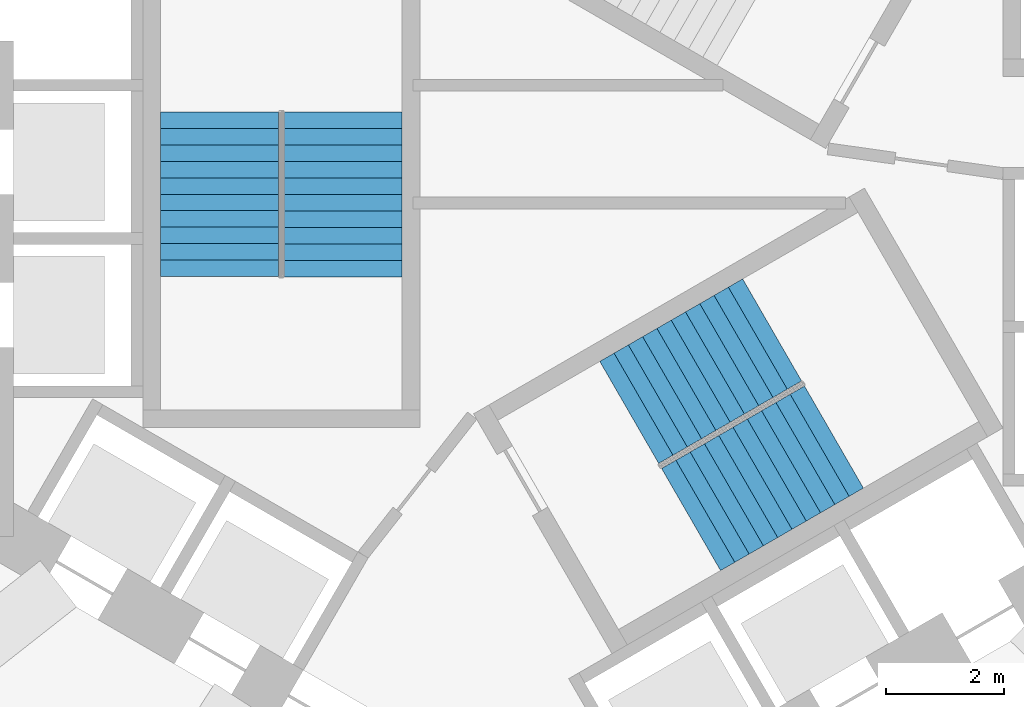
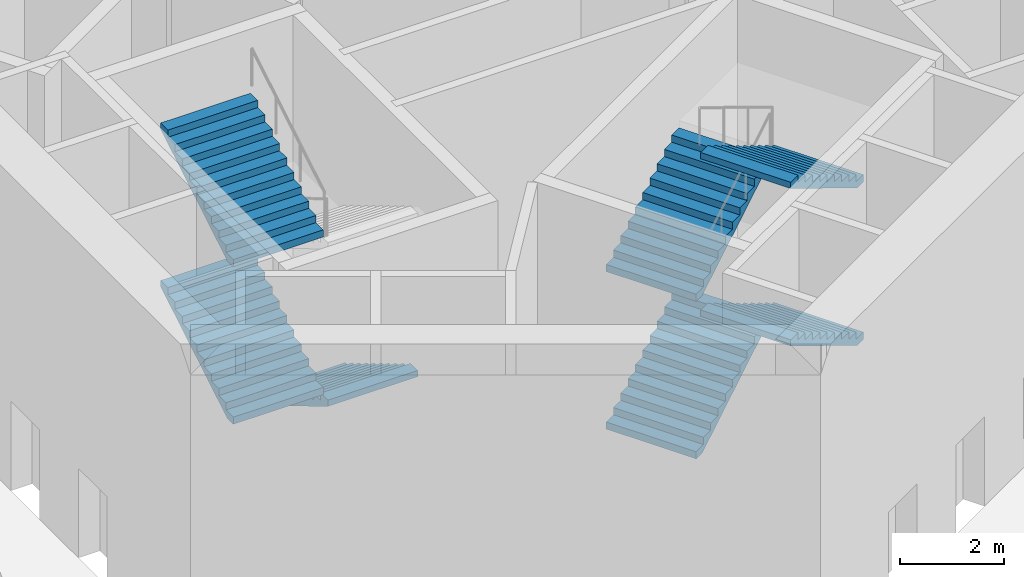
# One storey, part 13 of 19: 7 stair flights, 2 elements without a shape of their own.
"""IFC4 building model written with IfcOpenShell, lengths in metres."""

from ifc_helpers import new_model, si_unit, direction, frame, origin, place, context, subcontext, project, spatial, triangles, source, transform, mapped, material, type_object, element, aggregate, save


model = new_model("IFC4")

# Units and contexts
model_context = context("Model", 3, precision=1e-05, world=origin(), true_north=direction((0.0, 1.0)))
body_context = subcontext(model_context, "Body", "Model", "MODEL_VIEW")
ifc_project = project(units=[si_unit("LENGTHUNIT", "METRE"), si_unit("AREAUNIT", "SQUARE_METRE"), si_unit("VOLUMEUNIT", "CUBIC_METRE"), si_unit("PLANEANGLEUNIT", "RADIAN"), si_unit("MASSUNIT", "GRAM", prefix="KILO")], contexts=[model_context])

# Site, building, storey
site_placement = place(None, origin())
site = spatial("IfcSite", under=ifc_project, at=site_placement, CompositionType="ELEMENT")
building_placement = place(site_placement, origin())
building = spatial("IfcBuilding", under=site, at=building_placement, Name="Vanh Sen Convention Tower", CompositionType="ELEMENT")
storey_placement = place(building_placement, frame((0.0, 0.0, 139.199951171875)))
storey = spatial("IfcBuildingStorey", under=building, at=storey_placement, Name="L34", CompositionType="ELEMENT", Elevation=139.199951171875)

# Stair, stair flights
ifc_material_1 = material(Name="Concrete C50/60", Category="concrete")
stair_type_1 = type_object("IfcStairType", Name="Exit stair ST2 44 risers at 168.2", PredefinedType="HALF_TURN_STAIR", material=ifc_material_1)
stair_1_placement = place(storey_placement, origin())
stair_1 = element("IfcStair", 1, at=stair_1_placement, inside=storey, type_object=stair_type_1, Name="Exit stair ST2 L34", PredefinedType="HALF_TURN_STAIR")
ifc_material_2 = material(Name="Concrete C40/50", Category="concrete")
stair_flight_type = type_object("IfcStairFlightType", Name="Stair flight 2000", PredefinedType="STRAIGHT", material=ifc_material_2)
shared_shape = source(origin(), body_context, "Body", "Tessellation", [
    triangles([(0.24267578125, 1.0, 0.0), (0.0, 1.0, 0.0), (0.0, 1.0, 0.168212890625), (0.280029296875, 1.0, 0.168212890625), (0.280029296875, 1.0, 0.33642578125), (0.56005859375, 1.0, 0.33642578125), (0.56005859375, 1.0, 0.504638671875), (0.840087890625, 1.0, 0.504638671875), (0.840087890625, 1.0, 0.672607421875), (1.1201171875, 1.0, 0.672607421875), (1.1201171875, 1.0, 0.8408203125), (1.39990234375, 1.0, 0.8408203125), (1.39990234375, 1.0, 1.009033203125), (1.679931640625, 1.0, 1.009033203125), (1.679931640625, 1.0, 1.17724609375), (1.9599609375, 1.0, 1.17724609375), (1.9599609375, 1.0, 1.345458984375), (2.239990234375, 1.0, 1.345458984375), (2.239990234375, 1.0, 1.513671875), (2.52001953125, 1.0, 1.513671875), (2.52001953125, 1.0, 1.681884765625), (2.800048828125, 1.0, 1.681884765625), (2.800048828125, 1.0, 1.535888671875), (0.24267578125, -1.0, 0.0), (0.0, -1.0, 0.0), (0.0, -1.0, 0.168212890625), (0.280029296875, -1.0, 0.168212890625), (0.280029296875, -1.0, 0.33642578125), (0.56005859375, -1.0, 0.33642578125), (0.56005859375, -1.0, 0.504638671875), (0.840087890625, -1.0, 0.504638671875), (0.840087890625, -1.0, 0.672607421875), (1.1201171875, -1.0, 0.672607421875), (1.1201171875, -1.0, 0.8408203125), (1.39990234375, -1.0, 0.8408203125), (1.39990234375, -1.0, 1.009033203125), (1.679931640625, -1.0, 1.009033203125), (1.679931640625, -1.0, 1.17724609375), (1.9599609375, -1.0, 1.17724609375), (1.9599609375, -1.0, 1.345458984375), (2.239990234375, -1.0, 1.345458984375), (2.239990234375, -1.0, 1.513671875), (2.52001953125, -1.0, 1.513671875), (2.52001953125, -1.0, 1.681884765625), (2.800048828125, -1.0, 1.681884765625), (2.800048828125, -1.0, 1.535888671875), (0.0, 0.0400390625, 0.0), (0.0, 0.0390625, 0.0), (0.0, 0.0380859375, 0.0), (0.0, 0.037109375, 0.0), (0.0, 0.035888671875, 0.0), (0.0, 0.034912109375, 0.0), (0.0, 0.033935546875, 0.0), (0.0, 0.032958984375, 0.0), (0.0, 0.031982421875, 0.0), (0.0, 0.031005859375, 0.0), (0.0, 0.030029296875, 0.0), (0.0, 0.029052734375, 0.0), (0.0, 0.028076171875, 0.0), (0.0, 0.027099609375, 0.0), (0.0, 0.02587890625, 0.0), (0.0, 0.02490234375, 0.0), (0.0, 0.02392578125, 0.0), (0.0, 0.02294921875, 0.0), (0.0, 0.02197265625, 0.0), (0.0, 0.02099609375, 0.0), (0.0, 0.02001953125, 0.0), (0.0, 0.01904296875, 0.0), (0.0, 0.01806640625, 0.0), (0.0, 0.01708984375, 0.0), (0.0, 0.01611328125, 0.0), (0.0, 0.014892578125, 0.0), (0.0, 0.013916015625, 0.0), (0.0, 0.012939453125, 0.0), (0.0, 0.011962890625, 0.0), (0.0, 0.010986328125, 0.0), (0.0, 0.010009765625, 0.0), (0.0, 0.009033203125, 0.0), (0.0, 0.008056640625, 0.0), (0.0, 0.007080078125, 0.0), (0.0, 0.006103515625, 0.0), (0.0, 0.0048828125, 0.0), (0.0, 0.00390625, 0.0), (0.0, 0.0029296875, 0.0), (0.0, 0.001953125, 0.0), (0.0, 0.0009765625, 0.0), (0.0, 0.0, 0.0), (0.0, -0.0009765625, 0.0), (0.0, -0.001953125, 0.0), (0.0, -0.0029296875, 0.0), (0.0, -0.00390625, 0.0), (0.0, -0.0048828125, 0.0), (0.0, -0.006103515625, 0.0), (0.0, -0.007080078125, 0.0), (0.0, -0.008056640625, 0.0), (0.0, -0.009033203125, 0.0), (0.0, -0.010009765625, 0.0), (0.0, -0.010986328125, 0.0), (0.0, -0.011962890625, 0.0), (0.0, -0.012939453125, 0.0), (0.0, -0.013916015625, 0.0), (0.0, -0.014892578125, 0.0), (0.0, -0.01611328125, 0.0), (0.0, -0.01708984375, 0.0), (0.0, -0.01806640625, 0.0), (0.0, -0.01904296875, 0.0), (0.0, -0.02001953125, 0.0), (0.0, -0.02099609375, 0.0), (0.0, -0.02197265625, 0.0), (0.0, -0.02294921875, 0.0), (0.0, -0.02392578125, 0.0), (0.0, -0.02490234375, 0.0), (0.0, -0.02587890625, 0.0), (0.0, -0.027099609375, 0.0), (0.0, -0.028076171875, 0.0), (0.0, -0.029052734375, 0.0), (0.0, -0.030029296875, 0.0), (0.0, -0.031005859375, 0.0), (0.0, -0.031982421875, 0.0), (0.0, -0.032958984375, 0.0), (0.0, -0.033935546875, 0.0), (0.0, -0.034912109375, 0.0), (0.0, -0.035888671875, 0.0), (0.0, -0.037109375, 0.0), (0.0, -0.0380859375, 0.0), (0.0, -0.0390625, 0.0), (0.0, -0.0400390625, 0.0), (0.0, 0.0400390625, 0.168212890625), (0.0, 0.0390625, 0.168212890625), (0.0, 0.0380859375, 0.168212890625), (0.0, 0.037109375, 0.168212890625), (0.0, 0.035888671875, 0.168212890625), (0.0, 0.034912109375, 0.168212890625), (0.0, 0.033935546875, 0.168212890625), (0.0, 0.032958984375, 0.168212890625), (0.0, 0.031982421875, 0.168212890625), (0.0, 0.031005859375, 0.168212890625), (0.0, 0.030029296875, 0.168212890625), (0.0, 0.029052734375, 0.168212890625), (0.0, 0.028076171875, 0.168212890625), (0.0, 0.027099609375, 0.168212890625), (0.0, 0.02587890625, 0.168212890625), (0.0, 0.02490234375, 0.168212890625), (0.0, 0.02392578125, 0.168212890625), (0.0, 0.02294921875, 0.168212890625), (0.0, 0.02197265625, 0.168212890625), (0.0, 0.02099609375, 0.168212890625), (0.0, 0.02001953125, 0.168212890625), (0.0, 0.01904296875, 0.168212890625), (0.0, 0.01806640625, 0.168212890625), (0.0, 0.01708984375, 0.168212890625), (0.0, 0.01611328125, 0.168212890625), (0.0, 0.014892578125, 0.168212890625), (0.0, 0.013916015625, 0.168212890625), (0.0, 0.012939453125, 0.168212890625), (0.0, 0.011962890625, 0.168212890625), (0.0, 0.010986328125, 0.168212890625), (0.0, 0.010009765625, 0.168212890625), (0.0, 0.009033203125, 0.168212890625), (0.0, 0.008056640625, 0.168212890625), (0.0, 0.007080078125, 0.168212890625), (0.0, 0.006103515625, 0.168212890625), (0.0, 0.0048828125, 0.168212890625), (0.0, 0.00390625, 0.168212890625), (0.0, 0.0029296875, 0.168212890625), (0.0, 0.001953125, 0.168212890625), (0.0, 0.0009765625, 0.168212890625), (0.0, 0.0, 0.168212890625), (0.0, -0.0009765625, 0.168212890625), (0.0, -0.001953125, 0.168212890625), (0.0, -0.0029296875, 0.168212890625), (0.0, -0.00390625, 0.168212890625), (0.0, -0.0048828125, 0.168212890625), (0.0, -0.006103515625, 0.168212890625), (0.0, -0.007080078125, 0.168212890625), (0.0, -0.008056640625, 0.168212890625), (0.0, -0.009033203125, 0.168212890625), (0.0, -0.010009765625, 0.168212890625), (0.0, -0.010986328125, 0.168212890625), (0.0, -0.011962890625, 0.168212890625), (0.0, -0.012939453125, 0.168212890625), (0.0, -0.013916015625, 0.168212890625), (0.0, -0.014892578125, 0.168212890625), (0.0, -0.01611328125, 0.168212890625), (0.0, -0.01708984375, 0.168212890625), (0.0, -0.01806640625, 0.168212890625), (0.0, -0.01904296875, 0.168212890625), (0.0, -0.02001953125, 0.168212890625), (0.0, -0.02099609375, 0.168212890625), (0.0, -0.02197265625, 0.168212890625), (0.0, -0.02294921875, 0.168212890625), (0.0, -0.02392578125, 0.168212890625), (0.0, -0.02490234375, 0.168212890625), (0.0, -0.02587890625, 0.168212890625), (0.0, -0.027099609375, 0.168212890625), (0.0, -0.028076171875, 0.168212890625), (0.0, -0.029052734375, 0.168212890625), (0.0, -0.030029296875, 0.168212890625), (0.0, -0.031005859375, 0.168212890625), (0.0, -0.031982421875, 0.168212890625), (0.0, -0.032958984375, 0.168212890625), (0.0, -0.033935546875, 0.168212890625), (0.0, -0.034912109375, 0.168212890625), (0.0, -0.035888671875, 0.168212890625), (0.0, -0.037109375, 0.168212890625), (0.0, -0.0380859375, 0.168212890625), (0.0, -0.0390625, 0.168212890625), (0.0, -0.0400390625, 0.168212890625), (0.280029296875, 0.0, 0.168212890625), (0.280029296875, 0.0, 0.33642578125), (0.56005859375, 0.0, 0.33642578125), (0.56005859375, 0.0, 0.504638671875), (0.840087890625, 0.0, 0.504638671875), (0.840087890625, 0.0, 0.672607421875), (1.1201171875, 0.0, 0.672607421875), (1.1201171875, 0.0, 0.8408203125), (1.39990234375, 0.0, 0.8408203125), (1.39990234375, 0.0, 1.009033203125), (1.679931640625, 0.0, 1.009033203125), (1.679931640625, 0.0, 1.17724609375), (1.9599609375, 0.0, 1.17724609375), (1.9599609375, 0.0, 1.345458984375), (2.239990234375, 0.0, 1.345458984375), (2.239990234375, 0.0, 1.513671875), (2.52001953125, 0.0, 1.513671875), (2.52001953125, 0.0, 1.681884765625), (2.800048828125, 0.0400390625, 1.681884765625), (2.800048828125, 0.0390625, 1.681884765625), (2.800048828125, 0.0380859375, 1.681884765625), (2.800048828125, 0.037109375, 1.681884765625), (2.800048828125, 0.035888671875, 1.681884765625), (2.800048828125, 0.034912109375, 1.681884765625), (2.800048828125, 0.033935546875, 1.681884765625), (2.800048828125, 0.032958984375, 1.681884765625), (2.800048828125, 0.031982421875, 1.681884765625), (2.800048828125, 0.031005859375, 1.681884765625), (2.800048828125, 0.030029296875, 1.681884765625), (2.800048828125, 0.029052734375, 1.681884765625), (2.800048828125, 0.028076171875, 1.681884765625), (2.800048828125, 0.027099609375, 1.681884765625), (2.800048828125, 0.02587890625, 1.681884765625), (2.800048828125, 0.02490234375, 1.681884765625), (2.800048828125, 0.02392578125, 1.681884765625), (2.800048828125, 0.02294921875, 1.681884765625), (2.800048828125, 0.02197265625, 1.681884765625), (2.800048828125, 0.02099609375, 1.681884765625), (2.800048828125, 0.02001953125, 1.681884765625), (2.800048828125, 0.01904296875, 1.681884765625), (2.800048828125, 0.01806640625, 1.681884765625), (2.800048828125, 0.01708984375, 1.681884765625), (2.800048828125, 0.01611328125, 1.681884765625), (2.800048828125, 0.014892578125, 1.681884765625), (2.800048828125, 0.013916015625, 1.681884765625), (2.800048828125, 0.012939453125, 1.681884765625), (2.800048828125, 0.011962890625, 1.681884765625), (2.800048828125, 0.010986328125, 1.681884765625), (2.800048828125, 0.010009765625, 1.681884765625), (2.800048828125, 0.009033203125, 1.681884765625), (2.800048828125, 0.008056640625, 1.681884765625), (2.800048828125, 0.007080078125, 1.681884765625), (2.800048828125, 0.006103515625, 1.681884765625), (2.800048828125, 0.0048828125, 1.681884765625), (2.800048828125, 0.00390625, 1.681884765625), (2.800048828125, 0.0029296875, 1.681884765625), (2.800048828125, 0.001953125, 1.681884765625), (2.800048828125, 0.0009765625, 1.681884765625), (2.800048828125, 0.0, 1.681884765625), (2.800048828125, -0.0009765625, 1.681884765625), (2.800048828125, -0.001953125, 1.681884765625), (2.800048828125, -0.0029296875, 1.681884765625), (2.800048828125, -0.00390625, 1.681884765625), (2.800048828125, -0.0048828125, 1.681884765625), (2.800048828125, -0.006103515625, 1.681884765625), (2.800048828125, -0.007080078125, 1.681884765625), (2.800048828125, -0.008056640625, 1.681884765625), (2.800048828125, -0.009033203125, 1.681884765625), (2.800048828125, -0.010009765625, 1.681884765625), (2.800048828125, -0.010986328125, 1.681884765625), (2.800048828125, -0.011962890625, 1.681884765625), (2.800048828125, -0.012939453125, 1.681884765625), (2.800048828125, -0.013916015625, 1.681884765625), (2.800048828125, -0.014892578125, 1.681884765625), (2.800048828125, -0.01611328125, 1.681884765625), (2.800048828125, -0.01708984375, 1.681884765625), (2.800048828125, -0.01806640625, 1.681884765625), (2.800048828125, -0.01904296875, 1.681884765625), (2.800048828125, -0.02001953125, 1.681884765625), (2.800048828125, -0.02099609375, 1.681884765625), (2.800048828125, -0.02197265625, 1.681884765625), (2.800048828125, -0.02294921875, 1.681884765625), (2.800048828125, -0.02392578125, 1.681884765625), (2.800048828125, -0.02490234375, 1.681884765625), (2.800048828125, -0.02587890625, 1.681884765625), (2.800048828125, -0.027099609375, 1.681884765625), (2.800048828125, -0.028076171875, 1.681884765625), (2.800048828125, -0.029052734375, 1.681884765625), (2.800048828125, -0.030029296875, 1.681884765625), (2.800048828125, -0.031005859375, 1.681884765625), (2.800048828125, -0.031982421875, 1.681884765625), (2.800048828125, -0.032958984375, 1.681884765625), (2.800048828125, -0.033935546875, 1.681884765625), (2.800048828125, -0.034912109375, 1.681884765625), (2.800048828125, -0.035888671875, 1.681884765625), (2.800048828125, -0.037109375, 1.681884765625), (2.800048828125, -0.0380859375, 1.681884765625), (2.800048828125, -0.0390625, 1.681884765625), (2.800048828125, -0.0400390625, 1.681884765625), (2.800048828125, 0.0400390625, 1.535888671875), (2.800048828125, 0.0390625, 1.535888671875), (2.800048828125, 0.0380859375, 1.535888671875), (2.800048828125, 0.037109375, 1.535888671875), (2.800048828125, 0.035888671875, 1.535888671875), (2.800048828125, 0.034912109375, 1.535888671875), (2.800048828125, 0.033935546875, 1.535888671875), (2.800048828125, 0.032958984375, 1.535888671875), (2.800048828125, 0.031982421875, 1.535888671875), (2.800048828125, 0.031005859375, 1.535888671875), (2.800048828125, 0.030029296875, 1.535888671875), (2.800048828125, 0.029052734375, 1.535888671875), (2.800048828125, 0.028076171875, 1.535888671875), (2.800048828125, 0.027099609375, 1.535888671875), (2.800048828125, 0.02587890625, 1.535888671875), (2.800048828125, 0.02490234375, 1.535888671875), (2.800048828125, 0.02392578125, 1.535888671875), (2.800048828125, 0.02294921875, 1.535888671875), (2.800048828125, 0.02197265625, 1.535888671875), (2.800048828125, 0.02099609375, 1.535888671875), (2.800048828125, 0.02001953125, 1.535888671875), (2.800048828125, 0.01904296875, 1.535888671875), (2.800048828125, 0.01806640625, 1.535888671875), (2.800048828125, 0.01708984375, 1.535888671875), (2.800048828125, 0.01611328125, 1.535888671875), (2.800048828125, 0.014892578125, 1.535888671875), (2.800048828125, 0.013916015625, 1.535888671875), (2.800048828125, 0.012939453125, 1.535888671875), (2.800048828125, 0.011962890625, 1.535888671875), (2.800048828125, 0.010986328125, 1.535888671875), (2.800048828125, 0.010009765625, 1.535888671875), (2.800048828125, 0.009033203125, 1.535888671875), (2.800048828125, 0.008056640625, 1.535888671875), (2.800048828125, 0.007080078125, 1.535888671875), (2.800048828125, 0.006103515625, 1.535888671875), (2.800048828125, 0.0048828125, 1.535888671875), (2.800048828125, 0.00390625, 1.535888671875), (2.800048828125, 0.0029296875, 1.535888671875), (2.800048828125, 0.001953125, 1.535888671875), (2.800048828125, 0.0009765625, 1.535888671875), (2.800048828125, 0.0, 1.535888671875), (2.800048828125, -0.0009765625, 1.535888671875), (2.800048828125, -0.001953125, 1.535888671875), (2.800048828125, -0.0029296875, 1.535888671875), (2.800048828125, -0.00390625, 1.535888671875), (2.800048828125, -0.0048828125, 1.535888671875), (2.800048828125, -0.006103515625, 1.535888671875), (2.800048828125, -0.007080078125, 1.535888671875), (2.800048828125, -0.008056640625, 1.535888671875), (2.800048828125, -0.009033203125, 1.535888671875), (2.800048828125, -0.010009765625, 1.535888671875), (2.800048828125, -0.010986328125, 1.535888671875), (2.800048828125, -0.011962890625, 1.535888671875), (2.800048828125, -0.012939453125, 1.535888671875), (2.800048828125, -0.013916015625, 1.535888671875), (2.800048828125, -0.014892578125, 1.535888671875), (2.800048828125, -0.01611328125, 1.535888671875), (2.800048828125, -0.01708984375, 1.535888671875), (2.800048828125, -0.01806640625, 1.535888671875), (2.800048828125, -0.01904296875, 1.535888671875), (2.800048828125, -0.02001953125, 1.535888671875), (2.800048828125, -0.02099609375, 1.535888671875), (2.800048828125, -0.02197265625, 1.535888671875), (2.800048828125, -0.02294921875, 1.535888671875), (2.800048828125, -0.02392578125, 1.535888671875), (2.800048828125, -0.02490234375, 1.535888671875), (2.800048828125, -0.02587890625, 1.535888671875), (2.800048828125, -0.027099609375, 1.535888671875), (2.800048828125, -0.028076171875, 1.535888671875), (2.800048828125, -0.029052734375, 1.535888671875), (2.800048828125, -0.030029296875, 1.535888671875), (2.800048828125, -0.031005859375, 1.535888671875), (2.800048828125, -0.031982421875, 1.535888671875), (2.800048828125, -0.032958984375, 1.535888671875), (2.800048828125, -0.033935546875, 1.535888671875), (2.800048828125, -0.034912109375, 1.535888671875), (2.800048828125, -0.035888671875, 1.535888671875), (2.800048828125, -0.037109375, 1.535888671875), (2.800048828125, -0.0380859375, 1.535888671875), (2.800048828125, -0.0390625, 1.535888671875), (2.800048828125, -0.0400390625, 1.535888671875), (0.24267578125, 0.0, 0.0)], [[1, 2, 3], [1, 3, 4], [4, 5, 6], [1, 4, 6], [6, 7, 8], [1, 6, 8], [8, 9, 10], [1, 8, 10], [10, 11, 12], [1, 10, 12], [12, 13, 14], [1, 12, 14], [14, 15, 16], [1, 14, 16], [16, 17, 18], [1, 16, 18], [18, 19, 20], [1, 18, 20], [20, 21, 22], [1, 20, 22], [22, 23, 1], [24, 26, 25], [24, 27, 26], [27, 29, 28], [24, 29, 27], [29, 31, 30], [24, 31, 29], [31, 33, 32], [24, 33, 31], [33, 35, 34], [24, 35, 33], [35, 37, 36], [24, 37, 35], [37, 39, 38], [24, 39, 37], [39, 41, 40], [24, 41, 39], [41, 43, 42], [24, 43, 41], [43, 45, 44], [24, 45, 43], [45, 24, 46], [2, 128, 3], [2, 47, 128], [47, 129, 128], [47, 48, 129], [48, 130, 129], [48, 49, 130], [49, 131, 130], [49, 50, 131], [50, 132, 131], [50, 51, 132], [51, 133, 132], [51, 52, 133], [52, 134, 133], [52, 53, 134], [53, 135, 134], [53, 54, 135], [54, 136, 135], [54, 55, 136], [55, 137, 136], [55, 56, 137], [56, 138, 137], [56, 57, 138], [57, 139, 138], [57, 58, 139], [58, 140, 139], [58, 59, 140], [59, 141, 140], [59, 60, 141], [60, 142, 141], [60, 61, 142], [61, 143, 142], [61, 62, 143], [62, 144, 143], [62, 63, 144], [63, 145, 144], [63, 64, 145], [64, 146, 145], [64, 65, 146], [65, 147, 146], [65, 66, 147], [66, 148, 147], [66, 67, 148], [67, 149, 148], [67, 68, 149], [68, 150, 149], [68, 69, 150], [69, 151, 150], [69, 70, 151], [70, 152, 151], [70, 71, 152], [71, 153, 152], [71, 72, 153], [72, 154, 153], [72, 73, 154], [73, 155, 154], [73, 74, 155], [74, 156, 155], [74, 75, 156], [75, 157, 156], [75, 76, 157], [76, 158, 157], [76, 77, 158], [77, 159, 158], [77, 78, 159], [78, 160, 159], [78, 79, 160], [79, 161, 160], [79, 80, 161], [80, 162, 161], [80, 81, 162], [81, 163, 162], [81, 82, 163], [82, 164, 163], [82, 83, 164], [83, 165, 164], [83, 84, 165], [84, 166, 165], [84, 85, 166], [85, 167, 166], [85, 86, 167], [86, 168, 167], [86, 87, 168], [87, 88, 168], [168, 88, 169], [88, 89, 169], [169, 89, 170], [89, 90, 170], [170, 90, 171], [90, 91, 171], [171, 91, 172], [91, 92, 172], [172, 92, 173], [92, 93, 173], [173, 93, 174], [93, 94, 174], [174, 94, 175], [94, 95, 175], [175, 95, 176], [95, 96, 176], [176, 96, 177], [96, 97, 177], [177, 97, 178], [97, 98, 178], [178, 98, 179], [98, 99, 179], [179, 99, 180], [99, 100, 180], [180, 100, 181], [100, 101, 181], [181, 101, 182], [101, 102, 182], [182, 102, 183], [102, 103, 183], [183, 103, 184], [103, 104, 184], [184, 104, 185], [104, 105, 185], [185, 105, 186], [105, 106, 186], [186, 106, 187], [106, 107, 187], [187, 107, 188], [107, 108, 188], [188, 108, 189], [108, 109, 189], [189, 109, 190], [109, 110, 190], [190, 110, 191], [110, 111, 191], [191, 111, 192], [111, 112, 192], [192, 112, 193], [112, 113, 193], [193, 113, 194], [113, 114, 194], [194, 114, 195], [114, 115, 195], [195, 115, 196], [115, 116, 196], [196, 116, 197], [116, 117, 197], [197, 117, 198], [117, 118, 198], [198, 118, 199], [118, 119, 199], [199, 119, 200], [119, 120, 200], [200, 120, 201], [120, 121, 201], [201, 121, 202], [121, 122, 202], [202, 122, 203], [122, 123, 203], [203, 123, 204], [123, 124, 204], [204, 124, 205], [124, 125, 205], [205, 125, 206], [125, 126, 206], [206, 126, 207], [126, 127, 207], [207, 127, 208], [127, 25, 208], [208, 25, 26], [4, 3, 128], [4, 128, 129], [4, 129, 130], [4, 130, 131], [4, 131, 132], [4, 132, 133], [4, 133, 134], [4, 134, 135], [4, 135, 136], [4, 136, 137], [4, 137, 138], [4, 138, 139], [4, 139, 140], [4, 140, 141], [4, 141, 142], [4, 142, 143], [4, 143, 144], [4, 144, 145], [4, 145, 146], [4, 146, 147], [4, 147, 148], [4, 148, 149], [4, 149, 150], [4, 150, 151], [4, 151, 152], [4, 152, 153], [4, 153, 154], [4, 154, 155], [4, 155, 156], [4, 156, 157], [4, 157, 158], [4, 158, 159], [4, 159, 160], [4, 160, 161], [4, 161, 162], [4, 162, 163], [4, 163, 164], [4, 164, 165], [4, 165, 166], [4, 166, 167], [4, 167, 168], [27, 168, 169], [27, 169, 170], [27, 170, 171], [27, 171, 172], [27, 172, 173], [27, 173, 174], [27, 174, 175], [27, 175, 176], [27, 176, 177], [27, 177, 178], [27, 178, 179], [27, 179, 180], [27, 180, 181], [27, 181, 182], [27, 182, 183], [27, 183, 184], [27, 184, 185], [27, 185, 186], [27, 186, 187], [27, 187, 188], [27, 188, 189], [27, 189, 190], [27, 190, 191], [27, 191, 192], [27, 192, 193], [27, 193, 194], [27, 194, 195], [27, 195, 196], [27, 196, 197], [27, 197, 198], [27, 198, 199], [27, 199, 200], [27, 200, 201], [27, 201, 202], [27, 202, 203], [27, 203, 204], [27, 204, 205], [27, 205, 206], [27, 206, 207], [27, 207, 208], [27, 208, 26], [4, 168, 209], [27, 209, 168], [4, 210, 5], [4, 209, 210], [209, 27, 210], [210, 27, 28], [5, 211, 6], [5, 210, 211], [210, 28, 211], [211, 28, 29], [6, 212, 7], [6, 211, 212], [211, 29, 212], [212, 29, 30], [7, 213, 8], [7, 212, 213], [212, 30, 213], [213, 30, 31], [8, 214, 9], [8, 213, 214], [213, 31, 214], [214, 31, 32], [9, 215, 10], [9, 214, 215], [214, 32, 215], [215, 32, 33], [10, 216, 11], [10, 215, 216], [215, 33, 216], [216, 33, 34], [11, 217, 12], [11, 216, 217], [216, 34, 217], [217, 34, 35], [12, 218, 13], [12, 217, 218], [217, 35, 218], [218, 35, 36], [13, 219, 14], [13, 218, 219], [218, 36, 219], [219, 36, 37], [14, 220, 15], [14, 219, 220], [219, 37, 220], [220, 37, 38], [15, 221, 16], [15, 220, 221], [220, 38, 221], [221, 38, 39], [16, 222, 17], [16, 221, 222], [221, 39, 222], [222, 39, 40], [17, 223, 18], [17, 222, 223], [222, 40, 223], [223, 40, 41], [18, 224, 19], [18, 223, 224], [223, 41, 224], [224, 41, 42], [19, 225, 20], [19, 224, 225], [224, 42, 225], [225, 42, 43], [20, 226, 21], [20, 225, 226], [225, 43, 226], [226, 43, 44], [21, 227, 22], [21, 228, 227], [21, 229, 228], [21, 230, 229], [21, 231, 230], [21, 232, 231], [21, 233, 232], [21, 234, 233], [21, 235, 234], [21, 236, 235], [21, 237, 236], [21, 238, 237], [21, 239, 238], [21, 240, 239], [21, 241, 240], [21, 242, 241], [21, 243, 242], [21, 244, 243], [21, 245, 244], [21, 246, 245], [21, 247, 246], [21, 248, 247], [21, 249, 248], [21, 250, 249], [21, 251, 250], [21, 252, 251], [21, 253, 252], [21, 254, 253], [21, 255, 254], [21, 256, 255], [21, 257, 256], [21, 258, 257], [21, 259, 258], [21, 260, 259], [21, 261, 260], [21, 262, 261], [21, 263, 262], [21, 264, 263], [21, 265, 264], [21, 266, 265], [21, 267, 266], [44, 268, 267], [44, 269, 268], [44, 270, 269], [44, 271, 270], [44, 272, 271], [44, 273, 272], [44, 274, 273], [44, 275, 274], [44, 276, 275], [44, 277, 276], [44, 278, 277], [44, 279, 278], [44, 280, 279], [44, 281, 280], [44, 282, 281], [44, 283, 282], [44, 284, 283], [44, 285, 284], [44, 286, 285], [44, 287, 286], [44, 288, 287], [44, 289, 288], [44, 290, 289], [44, 291, 290], [44, 292, 291], [44, 293, 292], [44, 294, 293], [44, 295, 294], [44, 296, 295], [44, 297, 296], [44, 298, 297], [44, 299, 298], [44, 300, 299], [44, 301, 300], [44, 302, 301], [44, 303, 302], [44, 304, 303], [44, 305, 304], [44, 306, 305], [44, 307, 306], [44, 45, 307], [21, 226, 267], [44, 267, 226], [22, 308, 23], [22, 227, 308], [227, 309, 308], [227, 228, 309], [228, 310, 309], [228, 229, 310], [229, 311, 310], [229, 230, 311], [230, 312, 311], [230, 231, 312], [231, 313, 312], [231, 232, 313], [232, 314, 313], [232, 233, 314], [233, 315, 314], [233, 234, 315], [234, 316, 315], [234, 235, 316], [235, 317, 316], [235, 236, 317], [236, 318, 317], [236, 237, 318], [237, 319, 318], [237, 238, 319], [238, 320, 319], [238, 239, 320], [239, 321, 320], [239, 240, 321], [240, 322, 321], [240, 241, 322], [241, 323, 322], [241, 242, 323], [242, 324, 323], [242, 243, 324], [243, 325, 324], [243, 244, 325], [244, 326, 325], [244, 245, 326], [245, 327, 326], [245, 246, 327], [246, 328, 327], [246, 247, 328], [247, 329, 328], [247, 248, 329], [248, 330, 329], [248, 249, 330], [249, 331, 330], [249, 250, 331], [250, 332, 331], [250, 251, 332], [251, 333, 332], [251, 252, 333], [252, 334, 333], [252, 253, 334], [253, 335, 334], [253, 254, 335], [254, 336, 335], [254, 255, 336], [255, 337, 336], [255, 256, 337], [256, 338, 337], [256, 257, 338], [257, 339, 338], [257, 258, 339], [258, 340, 339], [258, 259, 340], [259, 341, 340], [259, 260, 341], [260, 342, 341], [260, 261, 342], [261, 343, 342], [261, 262, 343], [262, 344, 343], [262, 263, 344], [263, 345, 344], [263, 264, 345], [264, 346, 345], [264, 265, 346], [265, 347, 346], [265, 266, 347], [266, 348, 347], [266, 267, 348], [267, 268, 348], [348, 268, 349], [268, 269, 349], [349, 269, 350], [269, 270, 350], [350, 270, 351], [270, 271, 351], [351, 271, 352], [271, 272, 352], [352, 272, 353], [272, 273, 353], [353, 273, 354], [273, 274, 354], [354, 274, 355], [274, 275, 355], [355, 275, 356], [275, 276, 356], [356, 276, 357], [276, 277, 357], [357, 277, 358], [277, 278, 358], [358, 278, 359], [278, 279, 359], [359, 279, 360], [279, 280, 360], [360, 280, 361], [280, 281, 361], [361, 281, 362], [281, 282, 362], [362, 282, 363], [282, 283, 363], [363, 283, 364], [283, 284, 364], [364, 284, 365], [284, 285, 365], [365, 285, 366], [285, 286, 366], [366, 286, 367], [286, 287, 367], [367, 287, 368], [287, 288, 368], [368, 288, 369], [288, 289, 369], [369, 289, 370], [289, 290, 370], [370, 290, 371], [290, 291, 371], [371, 291, 372], [291, 292, 372], [372, 292, 373], [292, 293, 373], [373, 293, 374], [293, 294, 374], [374, 294, 375], [294, 295, 375], [375, 295, 376], [295, 296, 376], [376, 296, 377], [296, 297, 377], [377, 297, 378], [297, 298, 378], [378, 298, 379], [298, 299, 379], [379, 299, 380], [299, 300, 380], [380, 300, 381], [300, 301, 381], [381, 301, 382], [301, 302, 382], [382, 302, 383], [302, 303, 383], [383, 303, 384], [303, 304, 384], [384, 304, 385], [304, 305, 385], [385, 305, 386], [305, 306, 386], [386, 306, 387], [306, 307, 387], [387, 307, 388], [307, 45, 388], [388, 45, 46], [1, 23, 308], [1, 308, 309], [1, 309, 310], [1, 310, 311], [1, 311, 312], [1, 312, 313], [1, 313, 314], [1, 314, 315], [1, 315, 316], [1, 316, 317], [1, 317, 318], [1, 318, 319], [1, 319, 320], [1, 320, 321], [1, 321, 322], [1, 322, 323], [1, 323, 324], [1, 324, 325], [1, 325, 326], [1, 326, 327], [1, 327, 328], [1, 328, 329], [1, 329, 330], [1, 330, 331], [1, 331, 332], [1, 332, 333], [1, 333, 334], [1, 334, 335], [1, 335, 336], [1, 336, 337], [1, 337, 338], [1, 338, 339], [1, 339, 340], [1, 340, 341], [1, 341, 342], [1, 342, 343], [1, 343, 344], [1, 344, 345], [1, 345, 346], [1, 346, 347], [1, 347, 348], [24, 348, 349], [24, 349, 350], [24, 350, 351], [24, 351, 352], [24, 352, 353], [24, 353, 354], [24, 354, 355], [24, 355, 356], [24, 356, 357], [24, 357, 358], [24, 358, 359], [24, 359, 360], [24, 360, 361], [24, 361, 362], [24, 362, 363], [24, 363, 364], [24, 364, 365], [24, 365, 366], [24, 366, 367], [24, 367, 368], [24, 368, 369], [24, 369, 370], [24, 370, 371], [24, 371, 372], [24, 372, 373], [24, 373, 374], [24, 374, 375], [24, 375, 376], [24, 376, 377], [24, 377, 378], [24, 378, 379], [24, 379, 380], [24, 380, 381], [24, 381, 382], [24, 382, 383], [24, 383, 384], [24, 384, 385], [24, 385, 386], [24, 386, 387], [24, 387, 388], [24, 388, 46], [1, 348, 389], [24, 389, 348], [1, 47, 2], [1, 48, 47], [1, 49, 48], [1, 50, 49], [1, 51, 50], [1, 52, 51], [1, 53, 52], [1, 54, 53], [1, 55, 54], [1, 56, 55], [1, 57, 56], [1, 58, 57], [1, 59, 58], [1, 60, 59], [1, 61, 60], [1, 62, 61], [1, 63, 62], [1, 64, 63], [1, 65, 64], [1, 66, 65], [1, 67, 66], [1, 68, 67], [1, 69, 68], [1, 70, 69], [1, 71, 70], [1, 72, 71], [1, 73, 72], [1, 74, 73], [1, 75, 74], [1, 76, 75], [1, 77, 76], [1, 78, 77], [1, 79, 78], [1, 80, 79], [1, 81, 80], [1, 82, 81], [1, 83, 82], [1, 84, 83], [1, 85, 84], [1, 86, 85], [1, 87, 86], [24, 88, 87], [24, 89, 88], [24, 90, 89], [24, 91, 90], [24, 92, 91], [24, 93, 92], [24, 94, 93], [24, 95, 94], [24, 96, 95], [24, 97, 96], [24, 98, 97], [24, 99, 98], [24, 100, 99], [24, 101, 100], [24, 102, 101], [24, 103, 102], [24, 104, 103], [24, 105, 104], [24, 106, 105], [24, 107, 106], [24, 108, 107], [24, 109, 108], [24, 110, 109], [24, 111, 110], [24, 112, 111], [24, 113, 112], [24, 114, 113], [24, 115, 114], [24, 116, 115], [24, 117, 116], [24, 118, 117], [24, 119, 118], [24, 120, 119], [24, 121, 120], [24, 122, 121], [24, 123, 122], [24, 124, 123], [24, 125, 124], [24, 126, 125], [24, 127, 126], [24, 25, 127], [1, 389, 87], [24, 87, 389]], closed=True),
])
stair_flight_1_placement = place(storey_placement, frame((-3.89990234375, 1.14990234375, 0.0), z_axis=(0.0, 0.0, 1.0), x_axis=(0.0, -1.0, 0.0)))
stair_flight_1 = element("IfcStairFlight", 2, at=stair_flight_1_placement, type_object=stair_flight_type, Name="ST2 flight 1", NumberOfRisers=11, NumberOfTreads=10, PredefinedType="STRAIGHT", RiserHeight=0.168181818, TreadLength=0.28, context=body_context, shape_type="MappedRepresentation", body=[
    mapped(shared_shape, transform((0.0, 0.0, 0.0))),
])
stair_flight_2_placement = place(storey_placement, frame((-6.0, -1.64990234375, 1.85009765625), z_axis=(0.0, 0.0, 1.0), x_axis=(0.0, 1.0, 0.0)))
stair_flight_2 = element("IfcStairFlight", 3, at=stair_flight_2_placement, type_object=stair_flight_type, Name="ST2 flight 2", NumberOfRisers=11, NumberOfTreads=10, PredefinedType="STRAIGHT", RiserHeight=0.168181818, TreadLength=0.28, context=body_context, shape_type="MappedRepresentation", body=[
    mapped(shared_shape, transform((0.0, 0.0, 0.0))),
])
stair_flight_3_placement = place(storey_placement, frame((-6.0, -1.64990234375, 5.550048828125), z_axis=(0.0, 0.0, 1.0), x_axis=(0.0, 1.0, 0.0)))
stair_flight_3 = element("IfcStairFlight", 4, at=stair_flight_3_placement, type_object=stair_flight_type, Name="ST2 flight 4", NumberOfRisers=11, NumberOfTreads=10, PredefinedType="STRAIGHT", RiserHeight=0.168181818, TreadLength=0.28, context=body_context, shape_type="MappedRepresentation", body=[
    mapped(shared_shape, transform((0.0, 0.0, 0.0))),
])
aggregate(stair_1, [stair_flight_1, stair_flight_2, stair_flight_3])

stair_type_2 = type_object("IfcStairType", Name="Exit stair ST3 44 risers at 168.2", PredefinedType="HALF_TURN_STAIR", material=ifc_material_1)
stair_2_placement = place(storey_placement, origin())
stair_2 = element("IfcStair", 5, at=stair_2_placement, inside=storey, type_object=stair_type_2, Name="Exit stair ST3 L34", PredefinedType="HALF_TURN_STAIR")
stair_flight_4_placement = place(storey_placement, frame((0.9541015625, -3.952392578125, 0.0), z_axis=(0.0, 0.0, 1.0), x_axis=(0.866025403784, 0.5, 0.0)))
stair_flight_4 = element("IfcStairFlight", 6, at=stair_flight_4_placement, type_object=stair_flight_type, Name="ST3 flight 1", NumberOfRisers=11, NumberOfTreads=10, PredefinedType="STRAIGHT", RiserHeight=0.168181818, TreadLength=0.28, context=body_context, shape_type="MappedRepresentation", body=[
    mapped(shared_shape, transform((0.0, 0.0, 0.0))),
])
stair_flight_5_placement = place(storey_placement, frame((4.428955078125, -4.37109375, 1.85009765625), z_axis=(0.0, 0.0, 1.0), x_axis=(-0.866025403784, -0.5, 0.0)))
stair_flight_5 = element("IfcStairFlight", 7, at=stair_flight_5_placement, type_object=stair_flight_type, Name="ST3 flight 2", NumberOfRisers=11, NumberOfTreads=10, PredefinedType="STRAIGHT", RiserHeight=0.168181818, TreadLength=0.28, context=body_context, shape_type="MappedRepresentation", body=[
    mapped(shared_shape, transform((0.0, 0.0, 0.0))),
])
stair_flight_6_placement = place(storey_placement, frame((0.9541015625, -3.952392578125, 3.699951171875), z_axis=(0.0, 0.0, 1.0), x_axis=(0.866025403784, 0.5, 0.0)))
stair_flight_6 = element("IfcStairFlight", 8, at=stair_flight_6_placement, type_object=stair_flight_type, Name="ST3 flight 3", NumberOfRisers=11, NumberOfTreads=10, PredefinedType="STRAIGHT", RiserHeight=0.168181818, TreadLength=0.28, context=body_context, shape_type="MappedRepresentation", body=[
    mapped(shared_shape, transform((0.0, 0.0, 0.0))),
])
stair_flight_7_placement = place(storey_placement, frame((4.428955078125, -4.37109375, 5.550048828125), z_axis=(0.0, 0.0, 1.0), x_axis=(-0.866025403784, -0.5, 0.0)))
stair_flight_7 = element("IfcStairFlight", 9, at=stair_flight_7_placement, type_object=stair_flight_type, Name="ST3 flight 4", NumberOfRisers=11, NumberOfTreads=10, PredefinedType="STRAIGHT", RiserHeight=0.168181818, TreadLength=0.28, context=body_context, shape_type="MappedRepresentation", body=[
    mapped(shared_shape, transform((0.0, 0.0, 0.0))),
])
aggregate(stair_2, [stair_flight_4, stair_flight_5, stair_flight_6, stair_flight_7])

save(model, "model.ifc")
